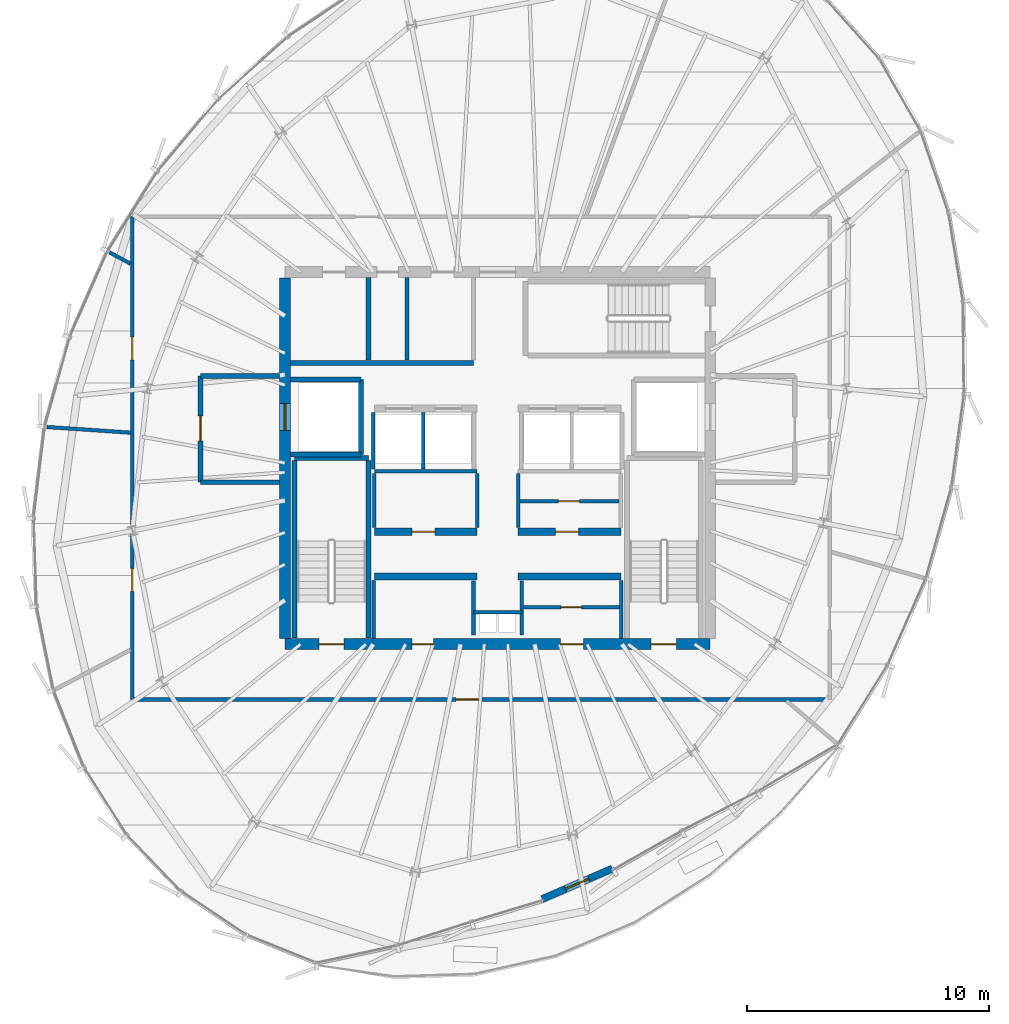
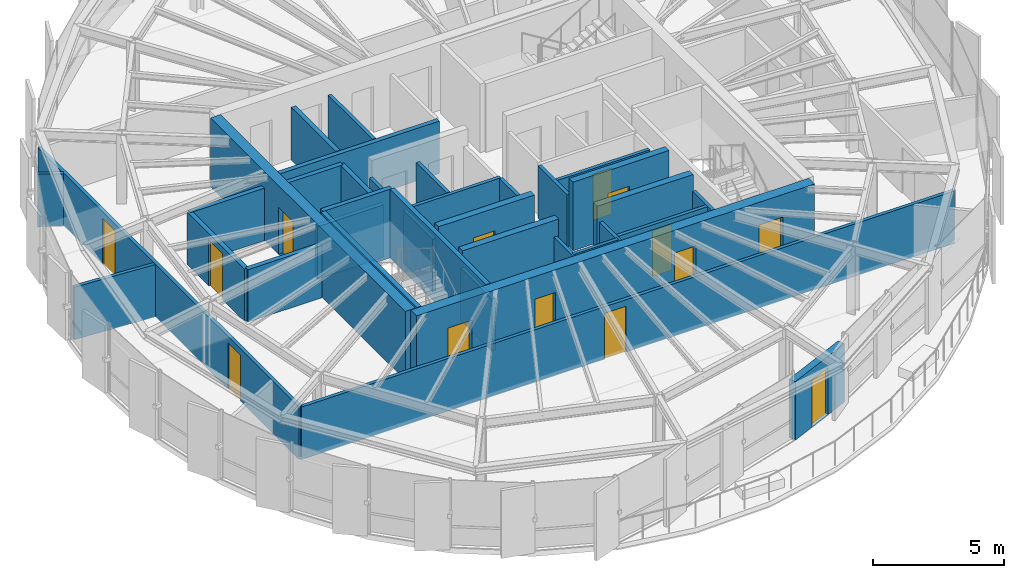
# One storey, part 25 of 31: 36 walls, 14 doors, 14 openings.
"""IFC4 building model written with IfcOpenShell, lengths in metres."""

from ifc_helpers import new_model, si_unit, direction, frame, frame_2d, origin, place, context, subcontext, project, spatial, rectangle, extrude, source, transform, mapped, material, layer, layer_set, type_object, element, fill, save


model = new_model("IFC4")

# Units and contexts
model_context = context("Model", 3, precision=1e-05, world=origin(), true_north=direction((0.0, 1.0)))
body_context = subcontext(model_context, "Body", "Model", "MODEL_VIEW")
ifc_project = project(units=[si_unit("LENGTHUNIT", "METRE"), si_unit("AREAUNIT", "SQUARE_METRE"), si_unit("VOLUMEUNIT", "CUBIC_METRE"), si_unit("PLANEANGLEUNIT", "RADIAN"), si_unit("MASSUNIT", "GRAM", prefix="KILO"), si_unit("THERMODYNAMICTEMPERATUREUNIT", "KELVIN")], contexts=[model_context])

# Site, building, storey
site_placement = place(None, origin())
site = spatial("IfcSite", under=ifc_project, at=site_placement, CompositionType="ELEMENT")
building_placement = place(site_placement, origin())
building = spatial("IfcBuilding", under=site, at=building_placement, Name="Kethvar Cultural Tower", CompositionType="ELEMENT")
storey_placement = place(building_placement, frame((0.0, 0.0, 283.60009765625)))
storey = spatial("IfcBuildingStorey", under=building, at=storey_placement, Name="L75", CompositionType="ELEMENT", Elevation=283.60009765625)

# Wall, openings, doors
ifc_material_1 = material(Name="Concrete C50/60", Category="concrete")
ifc_layer_1 = layer(ifc_material_1, 0.449951171875, Name="Concrete C50/60", Category="concrete")
ifc_layer_set_1 = layer_set([ifc_layer_1], Name="Concrete C50/60 (450 mm)")
wall_type_1 = type_object("IfcWallType", Name="WL-CORE-450", PredefinedType="SHEAR", material=ifc_layer_set_1)
wall_1_placement = place(storey_placement, frame((38.0, 20.10009765625, 0.0), z_axis=(0.0, 0.0, 1.0), x_axis=(1.0, 0.0, 0.0)))
wall_1 = element("IfcWall", 1, at=wall_1_placement, inside=storey, type_object=wall_type_1, Name="L75 Core Shear Wall S", PredefinedType="SHEAR", context=body_context, shape_type="SweptSolid", body=[
    extrude(rectangle(XDim=17.60009765625, YDim=0.449951171875, at=frame_2d((8.800048828125, 0.0))), origin(), (0.0, 0.0, 1.0), 3.2099609375),
])
opening_1_placement = place(wall_1_placement, frame((1.39990234375, 0.0, 0.0)))
opening_1 = element("IfcOpeningElement", 2, at=opening_1_placement, cuts=wall_1, Name="Opening D-L75-S1", PredefinedType="OPENING", context=body_context, shape_type="SweptSolid", body=[
    extrude(rectangle(XDim=1.050048828125, YDim=2.14990234375, at=frame_2d((0.52490234375, 1.074951171875))), frame((0.0, 0.23486328125, 0.0), z_axis=(0.0, -1.0, 0.0), x_axis=(1.0, 0.0, 0.0)), (0.0, 0.0, 1.0), 0.469970703125),
])
opening_2_placement = place(wall_1_placement, frame((15.14990234375, 0.0, 0.0)))
opening_2 = element("IfcOpeningElement", 3, at=opening_2_placement, cuts=wall_1, Name="Opening D-L75-ST2", PredefinedType="OPENING", context=body_context, shape_type="SweptSolid", body=[
    extrude(rectangle(XDim=1.050048828125, YDim=2.14990234375, at=frame_2d((0.52490234375, 1.074951171875))), frame((0.0, 0.23486328125, 0.0), z_axis=(0.0, -1.0, 0.0), x_axis=(1.0, 0.0, 0.0)), (0.0, 0.0, 1.0), 0.469970703125),
])
opening_3_placement = place(wall_1_placement, frame((5.25, 0.0, 0.0)))
opening_3 = element("IfcOpeningElement", 4, at=opening_3_placement, cuts=wall_1, Name="Opening D-L75-V1", PredefinedType="OPENING", context=body_context, shape_type="SweptSolid", body=[
    extrude(rectangle(XDim=0.89990234375, YDim=2.14990234375, at=frame_2d((0.449951171875, 1.074951171875))), frame((0.0, 0.23486328125, 0.0), z_axis=(0.0, -1.0, 0.0), x_axis=(1.0, 0.0, 0.0)), (0.0, 0.0, 1.0), 0.469970703125),
])
opening_4_placement = place(wall_1_placement, frame((11.39990234375, 0.0, 0.0)))
opening_4 = element("IfcOpeningElement", 5, at=opening_4_placement, cuts=wall_1, Name="Opening D-L75-V2", PredefinedType="OPENING", context=body_context, shape_type="SweptSolid", body=[
    extrude(rectangle(XDim=0.949951171875, YDim=2.14990234375, at=frame_2d((0.47509765625, 1.074951171875))), frame((0.0, 0.23486328125, 0.0), z_axis=(0.0, -1.0, 0.0), x_axis=(1.0, 0.0, 0.0)), (0.0, 0.0, 1.0), 0.469970703125),
])
ifc_material_2 = material(Name="Steel S355J2", Category="steel")
door_type_1 = type_object("IfcDoorType", Name="DR-FD60-1050", OperationType="NOTDEFINED", PredefinedType="DOOR", material=ifc_material_2)
shared_shape_1 = source(origin(), body_context, "Body", "SweptSolid", [
    extrude(rectangle(XDim=1.050048828125, YDim=2.14990234375, at=frame_2d((0.52490234375, 1.074951171875))), frame((0.0, 0.02490234375, 0.0), z_axis=(0.0, -1.0, 0.0), x_axis=(1.0, 0.0, 0.0)), (0.0, 0.0, 1.0), 0.050048828125),
])
door_1_placement = place(opening_1_placement, origin())
door_1 = element("IfcDoor", 6, at=door_1_placement, inside=storey, type_object=door_type_1, Name="L75 Exit Stair 1 Door", OperationType="SINGLE_SWING_LEFT", OverallHeight=2.14990234375, OverallWidth=1.050048828125, PredefinedType="DOOR", context=body_context, shape_type="MappedRepresentation", body=[
    mapped(shared_shape_1, transform((0.0, 0.0, 0.0), scale=1.0)),
])
fill(opening_1, door_1)
door_2_placement = place(opening_2_placement, origin())
door_2 = element("IfcDoor", 7, at=door_2_placement, inside=storey, type_object=door_type_1, Name="L75 Exit Stair 2 Door", OperationType="SINGLE_SWING_RIGHT", OverallHeight=2.14990234375, OverallWidth=1.050048828125, PredefinedType="DOOR", context=body_context, shape_type="MappedRepresentation", body=[
    mapped(shared_shape_1, transform((0.0, 0.0, 0.0), scale=1.0)),
])
fill(opening_2, door_2)
ifc_material_3 = material(Name="Architectural Oak Timber", Category="wood")
door_type_2 = type_object("IfcDoorType", Name="DR-FD30-950", OperationType="NOTDEFINED", PredefinedType="DOOR", material=ifc_material_3)
shared_shape_2 = source(origin(), body_context, "Body", "SweptSolid", [
    extrude(rectangle(XDim=0.949951171875, YDim=2.14990234375, at=frame_2d((0.47509765625, 1.074951171875))), frame((0.0, 0.02490234375, 0.0), z_axis=(0.0, -1.0, 0.0), x_axis=(1.0, 0.0, 0.0)), (0.0, 0.0, 1.0), 0.050048828125),
])
door_3_placement = place(opening_4_placement, origin())
door_3 = element("IfcDoor", 8, at=door_3_placement, inside=storey, type_object=door_type_2, Name="L75 Bindery Supply Door", OperationType="SINGLE_SWING_RIGHT", OverallHeight=2.14990234375, OverallWidth=0.949951171875, PredefinedType="DOOR", context=body_context, shape_type="MappedRepresentation", body=[
    mapped(shared_shape_2, transform((0.0, 0.0, 0.0), scale=1.0)),
])
fill(opening_4, door_3)
door_type_3 = type_object("IfcDoorType", Name="DR-FD30-900", OperationType="NOTDEFINED", PredefinedType="DOOR", material=ifc_material_3)
shared_shape_3 = source(origin(), body_context, "Body", "SweptSolid", [
    extrude(rectangle(XDim=0.89990234375, YDim=2.14990234375, at=frame_2d((0.449951171875, 1.074951171875))), frame((0.0, 0.02490234375, 0.0), z_axis=(0.0, -1.0, 0.0), x_axis=(1.0, 0.0, 0.0)), (0.0, 0.0, 1.0), 0.050048828125),
])
door_4_placement = place(opening_3_placement, origin())
door_4 = element("IfcDoor", 9, at=door_4_placement, inside=storey, type_object=door_type_3, Name="L75 Folio Vault Door", OperationType="SINGLE_SWING_LEFT", OverallHeight=2.14990234375, OverallWidth=0.89990234375, PredefinedType="DOOR", context=body_context, shape_type="MappedRepresentation", body=[
    mapped(shared_shape_3, transform((0.0, 0.0, 0.0), scale=1.0)),
])
fill(opening_3, door_4)

# Wall, opening, door
wall_2_placement = place(storey_placement, frame((38.0, 35.260009765625, 0.0), z_axis=(0.0, 0.0, 1.0), x_axis=(0.0, -1.0, 0.0)))
wall_2 = element("IfcWall", 10, at=wall_2_placement, inside=storey, type_object=wall_type_1, Name="L75 Core Shear Wall W", PredefinedType="SHEAR", context=body_context, shape_type="SweptSolid", body=[
    extrude(rectangle(XDim=14.919921875, YDim=0.449951171875, at=frame_2d((7.4599609375, 0.0))), origin(), (0.0, 0.0, 1.0), 3.2099609375),
])
opening_5_placement = place(wall_2_placement, frame((5.2099609375, 0.0, 0.0)))
opening_5 = element("IfcOpeningElement", 11, at=opening_5_placement, cuts=wall_2, Name="Opening LD-1", PredefinedType="OPENING", context=body_context, shape_type="SweptSolid", body=[
    extrude(rectangle(XDim=1.10009765625, YDim=2.199951171875, at=frame_2d((0.550048828125, 1.10009765625))), frame((0.0, 0.23486328125, 0.0), z_axis=(0.0, -1.0, 0.0), x_axis=(1.0, 0.0, 0.0)), (0.0, 0.0, 1.0), 0.469970703125),
])
door_type_4 = type_object("IfcDoorType", Name="DR-LIFT-SLIDE-1100", OperationType="NOTDEFINED", PredefinedType="DOOR", material=ifc_material_2)
shared_shape_4 = source(origin(), body_context, "Body", "SweptSolid", [
    extrude(rectangle(XDim=1.10009765625, YDim=2.199951171875, at=frame_2d((0.550048828125, 1.10009765625))), frame((0.0, 0.02490234375, 0.0), z_axis=(0.0, -1.0, 0.0), x_axis=(1.0, 0.0, 0.0)), (0.0, 0.0, 1.0), 0.050048828125),
])
door_5_placement = place(opening_5_placement, origin())
door_5 = element("IfcDoor", 12, at=door_5_placement, inside=storey, type_object=door_type_4, Name="L75 Firefighting Lift Landing Door FFL-01", OperationType="SLIDING_TO_LEFT", OverallHeight=2.199951171875, OverallWidth=1.10009765625, PredefinedType="DOOR", context=body_context, shape_type="MappedRepresentation", body=[
    mapped(shared_shape_4, transform((0.0, 0.0, 0.0), scale=1.0)),
])
fill(opening_5, door_5)

ifc_material_4 = material(Name="Concrete C40/50", Category="concrete")
ifc_layer_2 = layer(ifc_material_4, 0.300048828125, Name="Concrete C40/50", Category="concrete")
ifc_layer_set_2 = layer_set([ifc_layer_2], Name="Concrete C40/50 (300 mm)")
wall_type_2 = type_object("IfcWallType", Name="WL-EXT-TER-300", PredefinedType="SOLIDWALL", material=ifc_layer_set_2)
wall_3_placement = place(storey_placement, frame((51.54931640625, 10.8076171875, 0.0), z_axis=(0.0, 0.0, 1.0), x_axis=(-0.917146084592, -0.398551200623, 0.0)))
wall_3 = element("IfcWall", 13, at=wall_3_placement, inside=storey, type_object=wall_type_2, Name="L75 Sky Terrace Access Wall", PredefinedType="SOLIDWALL", context=body_context, shape_type="SweptSolid", body=[
    extrude(rectangle(XDim=3.16455078125, YDim=0.300048828125, at=frame_2d((1.582275390625, 0.0))), origin(), (0.0, 0.0, 1.0), 2.73486328125),
])
opening_6_placement = place(wall_3_placement, frame((1.05712890625, 0.0, 0.0)))
opening_6 = element("IfcOpeningElement", 14, at=opening_6_placement, cuts=wall_3, Name="Opening D-L75-T1", PredefinedType="OPENING", context=body_context, shape_type="SweptSolid", body=[
    extrude(rectangle(XDim=1.050048828125, YDim=2.199951171875, at=frame_2d((0.52490234375, 1.10009765625))), frame((0.0, 0.159912109375, 0.0), z_axis=(0.0, -1.0, 0.0), x_axis=(1.0, 0.0, 0.0)), (0.0, 0.0, 1.0), 0.320068359375),
])
ifc_material_5 = material(Name="Aluminium 6063-T6", Category="aluminium")
door_type_5 = type_object("IfcDoorType", Name="DR-EXT-TER-1050", OperationType="NOTDEFINED", PredefinedType="DOOR", material=ifc_material_5)
shared_shape_5 = source(origin(), body_context, "Body", "SweptSolid", [
    extrude(rectangle(XDim=1.050048828125, YDim=2.199951171875, at=frame_2d((0.52490234375, 1.10009765625))), frame((0.0, 0.02490234375, 0.0), z_axis=(0.0, -1.0, 0.0), x_axis=(1.0, 0.0, 0.0)), (0.0, 0.0, 1.0), 0.050048828125),
])
door_6_placement = place(opening_6_placement, origin())
door_6 = element("IfcDoor", 15, at=door_6_placement, inside=storey, type_object=door_type_5, Name="L75 Sky Terrace Access Door D-L75-T1", OperationType="SINGLE_SWING_LEFT", OverallHeight=2.199951171875, OverallWidth=1.050048828125, PredefinedType="DOOR", context=body_context, shape_type="MappedRepresentation", body=[
    mapped(shared_shape_5, transform((0.0, 0.0, 0.0), scale=1.0)),
])
fill(opening_6, door_6)

# Walls
ifc_material_6 = material(Name="Gypsum Fireboard Partition")
ifc_layer_3 = layer(ifc_material_6, 0.14990234375, Name="Gypsum Fireboard Partition")
ifc_layer_set_3 = layer_set([ifc_layer_3], Name="Gypsum Fireboard Partition (150 mm)")
wall_type_3 = type_object("IfcWallType", Name="WL-FIRE-150", PredefinedType="PARTITIONING", material=ifc_layer_set_3)
wall_4_placement = place(storey_placement, frame((45.800048828125, 21.419921875, 0.0), z_axis=(0.0, 0.0, 1.0), x_axis=(1.0, 0.0, 0.0)))
element("IfcWall", 16, at=wall_4_placement, inside=storey, type_object=wall_type_3, Name="L75 Core Riser Wall", PredefinedType="PARTITIONING", context=body_context, shape_type="SweptSolid", body=[
    extrude(rectangle(XDim=2.0, YDim=0.14990234375, at=frame_2d((1.0, 0.0))), origin(), (0.0, 0.0, 1.0), 2.454833984375),
])
for number, where, z_axis, x_axis, name in (
    (17, (45.800048828125, 20.47998046875, 0.0), (0.0, 0.0, 1.0), (0.0, 1.0, 0.0), "L75 Core Riser West Wall"),
    (18, (47.800048828125, 20.47998046875, 0.0), (0.0, 0.0, 1.0), (0.0, 1.0, 0.0), "L75 Core Riser East Wall"),
):
    element("IfcWall", number, at=place(storey_placement, frame(where, z_axis=z_axis, x_axis=x_axis)), inside=storey, type_object=wall_type_3, Name=name, PredefinedType="PARTITIONING", context=body_context, shape_type="SweptSolid", body=[
        extrude(rectangle(XDim=2.239990234375, YDim=0.14990234375, at=frame_2d((1.1201171875, 0.0))), origin(), (0.0, 0.0, 1.0), 2.454833984375),
    ])
for number, where, z_axis, x_axis, name in (
    (19, (41.679931640625, 20.3349609375, 0.0), (0.0, 0.0, 1.0), (0.0, 1.0, 0.0), "L75 Reclaimed West Outer Wall"),
    (20, (51.919921875, 20.3349609375, 0.0), (0.0, 0.0, 1.0), (0.0, 1.0, 0.0), "L75 Reclaimed East Outer Wall"),
):
    element("IfcWall", number, at=place(storey_placement, frame(where, z_axis=z_axis, x_axis=x_axis)), inside=storey, type_object=wall_type_3, Name=name, PredefinedType="PARTITIONING", context=body_context, shape_type="SweptSolid", body=[
        extrude(rectangle(XDim=2.39501953125, YDim=0.14990234375, at=frame_2d((1.197509765625, 0.0))), origin(), (0.0, 0.0, 1.0), 2.454833984375),
    ])

# Wall, opening, door
wall_5_placement = place(storey_placement, frame((47.8798828125, 21.6201171875, 0.0), z_axis=(0.0, 0.0, 1.0), x_axis=(1.0, 0.0, 0.0)))
wall_5 = element("IfcWall", 21, at=wall_5_placement, inside=storey, type_object=wall_type_3, Name="L75 Pantry Gallery Wall E", PredefinedType="PARTITIONING", context=body_context, shape_type="SweptSolid", body=[
    extrude(rectangle(XDim=3.960205078125, YDim=0.14990234375, at=frame_2d((1.97998046875, 0.0))), origin(), (0.0, 0.0, 1.0), 2.454833984375),
])
opening_7_placement = place(wall_5_placement, frame((1.550048828125, 0.0, 0.0)))
opening_7 = element("IfcOpeningElement", 22, at=opening_7_placement, cuts=wall_5, Name="Opening D-L75-V3", PredefinedType="OPENING", context=body_context, shape_type="SweptSolid", body=[
    extrude(rectangle(XDim=0.85009765625, YDim=2.14990234375, at=frame_2d((0.425048828125, 1.074951171875))), frame((0.0, 0.0849609375, 0.0), z_axis=(0.0, -1.0, 0.0), x_axis=(1.0, 0.0, 0.0)), (0.0, 0.0, 1.0), 0.169921875),
])
door_type_6 = type_object("IfcDoorType", Name="DR-FD30-850", OperationType="NOTDEFINED", PredefinedType="DOOR", material=ifc_material_2)
shared_shape_6 = source(origin(), body_context, "Body", "SweptSolid", [
    extrude(rectangle(XDim=0.85009765625, YDim=2.14990234375, at=frame_2d((0.425048828125, 1.074951171875))), frame((0.0, 0.02490234375, 0.0), z_axis=(0.0, -1.0, 0.0), x_axis=(1.0, 0.0, 0.0)), (0.0, 0.0, 1.0), 0.050048828125),
])
door_7_placement = place(opening_7_placement, origin())
door_7 = element("IfcDoor", 23, at=door_7_placement, inside=storey, type_object=door_type_6, Name="L75 Inner Pantry Gallery Door", OperationType="SINGLE_SWING_RIGHT", OverallHeight=2.14990234375, OverallWidth=0.85009765625, PredefinedType="DOOR", context=body_context, shape_type="MappedRepresentation", body=[
    mapped(shared_shape_6, transform((0.0, 0.0, 0.0), scale=1.0)),
])
fill(opening_7, door_7)

# Walls
wall_6_placement = place(storey_placement, frame((41.699951171875, 27.25, 0.0), z_axis=(0.0, 0.0, 1.0), x_axis=(1.0, 0.0, 0.0)))
element("IfcWall", 24, at=wall_6_placement, inside=storey, type_object=wall_type_3, Name="L75 Reclaimed Mid Wall W", PredefinedType="PARTITIONING", context=body_context, shape_type="SweptSolid", body=[
    extrude(rectangle(XDim=4.25, YDim=0.14990234375, at=frame_2d((2.125, 0.0))), origin(), (0.0, 0.0, 1.0), 2.454833984375),
])
for number, where, z_axis, x_axis, name in (
    (25, (41.699951171875, 24.919921875, 0.0), (0.0, 0.0, 1.0), (0.0, 1.0, 0.0), "L75 Reclaimed Mid Outer W"),
    (26, (45.949951171875, 24.919921875, 0.0), (0.0, 0.0, 1.0), (0.0, 1.0, 0.0), "L75 Reclaimed Mid Spine W"),
    (27, (47.64990234375, 24.919921875, 0.0), (0.0, 0.0, 1.0), (0.0, 1.0, 0.0), "L75 Reclaimed Mid Spine E"),
):
    element("IfcWall", number, at=place(storey_placement, frame(where, z_axis=z_axis, x_axis=x_axis)), inside=storey, type_object=wall_type_3, Name=name, PredefinedType="PARTITIONING", context=body_context, shape_type="SweptSolid", body=[
        extrude(rectangle(XDim=2.239990234375, YDim=0.14990234375, at=frame_2d((1.1201171875, 0.0))), origin(), (0.0, 0.0, 1.0), 2.454833984375),
    ])

# Wall, opening, door
wall_7_placement = place(storey_placement, frame((47.72998046875, 26.010009765625, 0.0), z_axis=(0.0, 0.0, 1.0), x_axis=(1.0, 0.0, 0.0)))
wall_7 = element("IfcWall", 28, at=wall_7_placement, inside=storey, type_object=wall_type_3, Name="L75 Mid Gallery Wall E", PredefinedType="PARTITIONING", context=body_context, shape_type="SweptSolid", body=[
    extrude(rectangle(XDim=4.090087890625, YDim=0.14990234375, at=frame_2d((2.044921875, 0.0))), origin(), (0.0, 0.0, 1.0), 2.454833984375),
])
opening_8_placement = place(wall_7_placement, frame((1.60009765625, 0.0, 0.0)))
opening_8 = element("IfcOpeningElement", 29, at=opening_8_placement, cuts=wall_7, Name="Opening D-L75-M3", PredefinedType="OPENING", context=body_context, shape_type="SweptSolid", body=[
    extrude(rectangle(XDim=0.85009765625, YDim=2.14990234375, at=frame_2d((0.425048828125, 1.074951171875))), frame((0.0, 0.0849609375, 0.0), z_axis=(0.0, -1.0, 0.0), x_axis=(1.0, 0.0, 0.0)), (0.0, 0.0, 1.0), 0.169921875),
])
door_8_placement = place(opening_8_placement, origin())
door_8 = element("IfcDoor", 30, at=door_8_placement, inside=storey, type_object=door_type_6, Name="L75 UPS Inner Door", OperationType="SINGLE_SWING_RIGHT", OverallHeight=2.14990234375, OverallWidth=0.85009765625, PredefinedType="DOOR", context=body_context, shape_type="MappedRepresentation", body=[
    mapped(shared_shape_6, transform((0.0, 0.0, 0.0), scale=1.0)),
])
fill(opening_8, door_8)

# Walls
for number, where, z_axis, x_axis, name in (
    (31, (41.64990234375, 27.340087890625, 0.0), (0.0, 0.0, 1.0), (0.0, 1.0, 0.0), "L75 High-Rise Lift Shaft Outer Wall W"),
    (32, (43.72509765625, 27.340087890625, 0.0), (0.0, 0.0, 1.0), (0.0, 1.0, 0.0), "L75 High-Rise Lift Shaft Divider W"),
):
    element("IfcWall", number, at=place(storey_placement, frame(where, z_axis=z_axis, x_axis=x_axis)), inside=storey, type_object=wall_type_3, Name=name, PredefinedType="PARTITIONING", context=body_context, shape_type="SweptSolid", body=[
        extrude(rectangle(XDim=2.33984375, YDim=0.14990234375, at=frame_2d((1.169921875, 0.0))), origin(), (0.0, 0.0, 1.0), 2.454833984375),
    ])

# Wall, opening, door
wall_8_placement = place(storey_placement, frame((31.679931640625, 17.806884765625, 0.0), z_axis=(0.0, 0.0, 1.0), x_axis=(1.0, 0.0, 0.0)))
wall_8 = element("IfcWall", 33, at=wall_8_placement, inside=storey, type_object=wall_type_3, Name="L75 Corridor Rated Wall S", PredefinedType="PARTITIONING", context=body_context, shape_type="SweptSolid", body=[
    extrude(rectangle(XDim=28.8701171875, YDim=0.14990234375, at=frame_2d((14.43505859375, 0.0))), origin(), (0.0, 0.0, 1.0), 2.454833984375),
])
opening_9_placement = place(wall_8_placement, frame((13.39892578125, 0.0, 0.0)))
opening_9 = element("IfcOpeningElement", 34, at=opening_9_placement, cuts=wall_8, Name="Opening D-L75-01", PredefinedType="OPENING", context=body_context, shape_type="SweptSolid", body=[
    extrude(rectangle(XDim=0.949951171875, YDim=2.14990234375, at=frame_2d((0.47509765625, 1.074951171875))), frame((0.0, 0.0849609375, 0.0), z_axis=(0.0, -1.0, 0.0), x_axis=(1.0, 0.0, 0.0)), (0.0, 0.0, 1.0), 0.169921875),
])
door_9_placement = place(opening_9_placement, origin())
door_9 = element("IfcDoor", 35, at=door_9_placement, inside=storey, type_object=door_type_2, Name="L75 Panoramic Reading Lounge 01 Door", OperationType="SINGLE_SWING_RIGHT", OverallHeight=2.14990234375, OverallWidth=0.949951171875, PredefinedType="DOOR", context=body_context, shape_type="MappedRepresentation", body=[
    mapped(shared_shape_2, transform((0.0, 0.0, 0.0), scale=1.0)),
])
fill(opening_9, door_9)

# Wall, openings, doors
wall_9_placement = place(storey_placement, frame((31.679931640625, 37.79296875, 0.0), z_axis=(0.0, 0.0, 1.0), x_axis=(0.0, -1.0, 0.0)))
wall_9 = element("IfcWall", 36, at=wall_9_placement, inside=storey, type_object=wall_type_3, Name="L75 Corridor Rated Wall W", PredefinedType="PARTITIONING", context=body_context, shape_type="SweptSolid", body=[
    extrude(rectangle(XDim=19.986083984375, YDim=0.14990234375, at=frame_2d((9.9931640625, 0.0))), origin(), (0.0, 0.0, 1.0), 2.454833984375),
])
opening_10_placement = place(wall_9_placement, frame((4.973388671875, 0.0, 0.0)))
opening_10 = element("IfcOpeningElement", 37, at=opening_10_placement, cuts=wall_9, Name="Opening D-L75-06", PredefinedType="OPENING", context=body_context, shape_type="SweptSolid", body=[
    extrude(rectangle(XDim=0.949951171875, YDim=2.14990234375, at=frame_2d((0.47509765625, 1.074951171875))), frame((0.0, 0.0849609375, 0.0), z_axis=(0.0, -1.0, 0.0), x_axis=(1.0, 0.0, 0.0)), (0.0, 0.0, 1.0), 0.169921875),
])
opening_11_placement = place(wall_9_placement, frame((14.560791015625, 0.0, 0.0)))
opening_11 = element("IfcOpeningElement", 38, at=opening_11_placement, cuts=wall_9, Name="Opening D-L75-07", PredefinedType="OPENING", context=body_context, shape_type="SweptSolid", body=[
    extrude(rectangle(XDim=0.949951171875, YDim=2.14990234375, at=frame_2d((0.47509765625, 1.074951171875))), frame((0.0, 0.0849609375, 0.0), z_axis=(0.0, -1.0, 0.0), x_axis=(1.0, 0.0, 0.0)), (0.0, 0.0, 1.0), 0.169921875),
])
door_10_placement = place(opening_10_placement, origin())
door_10 = element("IfcDoor", 39, at=door_10_placement, inside=storey, type_object=door_type_2, Name="L75 Scholars' Servery Pantry 06 Door", OperationType="SINGLE_SWING_LEFT", OverallHeight=2.14990234375, OverallWidth=0.949951171875, PredefinedType="DOOR", context=body_context, shape_type="MappedRepresentation", body=[
    mapped(shared_shape_2, transform((0.0, 0.0, 0.0), scale=1.0)),
])
fill(opening_10, door_10)
door_11_placement = place(opening_11_placement, origin())
door_11 = element("IfcDoor", 40, at=door_11_placement, inside=storey, type_object=door_type_2, Name="L75 Cultural Periodicals Kiosk 07 Door", OperationType="SINGLE_SWING_RIGHT", OverallHeight=2.14990234375, OverallWidth=0.949951171875, PredefinedType="DOOR", context=body_context, shape_type="MappedRepresentation", body=[
    mapped(shared_shape_2, transform((0.0, 0.0, 0.0), scale=1.0)),
])
fill(opening_11, door_11)

# Walls
ifc_layer_4 = layer(ifc_material_4, 0.199951171875, Name="Concrete C40/50", Category="concrete")
ifc_layer_set_4 = layer_set([ifc_layer_4], Name="Concrete C40/50 (200 mm)")
wall_type_4 = type_object("IfcWallType", Name="WL-FIRE-200", PredefinedType="PARTITIONING", material=ifc_layer_set_4)
wall_10_placement = place(storey_placement, frame((41.14990234375, 27.949951171875, 0.0), z_axis=(0.0, 0.0, 1.0), x_axis=(0.0, 1.0, 0.0)))
element("IfcWall", 41, at=wall_10_placement, inside=storey, type_object=wall_type_4, Name="L75 FFL-01 Shaft Inner Wall", PredefinedType="PARTITIONING", context=body_context, shape_type="SweptSolid", body=[
    extrude(rectangle(XDim=3.10009765625, YDim=0.199951171875, at=frame_2d((1.550048828125, 0.0))), origin(), (0.0, 0.0, 1.0), 2.454833984375),
])
for number, where, z_axis, x_axis, name in (
    (42, (38.235107421875, 27.949951171875, 0.0), (0.0, 0.0, 1.0), (1.0, 0.0, 0.0), "L75 FFL-01 Shaft South Wall"),
    (43, (38.235107421875, 31.050048828125, 0.0), (0.0, 0.0, 1.0), (1.0, 0.0, 0.0), "L75 FFL-01 Shaft North Wall"),
):
    element("IfcWall", number, at=place(storey_placement, frame(where, z_axis=z_axis, x_axis=x_axis)), inside=storey, type_object=wall_type_4, Name=name, PredefinedType="PARTITIONING", context=body_context, shape_type="SweptSolid", body=[
        extrude(rectangle(XDim=2.914794921875, YDim=0.199951171875, at=frame_2d((1.45751953125, 0.0))), origin(), (0.0, 0.0, 1.0), 2.454833984375),
    ])

# Wall, opening, door
wall_11_placement = place(storey_placement, frame((34.5, 31.199951171875, 0.0), z_axis=(0.0, 0.0, 1.0), x_axis=(0.0, -1.0, 0.0)))
wall_11 = element("IfcWall", 44, at=wall_11_placement, inside=storey, type_object=wall_type_4, Name="L75 Firefighting Lobby 1 Wall", PredefinedType="PARTITIONING", context=body_context, shape_type="SweptSolid", body=[
    extrude(rectangle(XDim=4.39990234375, YDim=0.199951171875, at=frame_2d((2.199951171875, 0.0))), origin(), (0.0, 0.0, 1.0), 2.454833984375),
])
opening_12_placement = place(wall_11_placement, frame((1.64990234375, 0.0, 0.0)))
opening_12 = element("IfcOpeningElement", 45, at=opening_12_placement, cuts=wall_11, Name="Opening D-L75-F1", PredefinedType="OPENING", context=body_context, shape_type="SweptSolid", body=[
    extrude(rectangle(XDim=1.050048828125, YDim=2.14990234375, at=frame_2d((0.52490234375, 1.074951171875))), frame((0.0, 0.10986328125, 0.0), z_axis=(0.0, -1.0, 0.0), x_axis=(1.0, 0.0, 0.0)), (0.0, 0.0, 1.0), 0.219970703125),
])
door_12_placement = place(opening_12_placement, origin())
door_12 = element("IfcDoor", 46, at=door_12_placement, inside=storey, type_object=door_type_1, Name="L75 Firefighting Lobby 1 Fire Door", OperationType="SINGLE_SWING_LEFT", OverallHeight=2.14990234375, OverallWidth=1.050048828125, PredefinedType="DOOR", context=body_context, shape_type="MappedRepresentation", body=[
    mapped(shared_shape_1, transform((0.0, 0.0, 0.0), scale=1.0)),
])
fill(opening_12, door_12)

# Walls
for number, where, z_axis, x_axis, name in (
    (47, (34.5, 26.800048828125, 0.0), (0.0, 0.0, 1.0), (1.0, 0.0, 0.0), "L75 FF Lobby 1 South Wall"),
    (48, (34.5, 31.199951171875, 0.0), (0.0, 0.0, 1.0), (1.0, 0.0, 0.0), "L75 FF Lobby 1 North Wall"),
):
    element("IfcWall", number, at=place(storey_placement, frame(where, z_axis=z_axis, x_axis=x_axis)), inside=storey, type_object=wall_type_4, Name=name, PredefinedType="PARTITIONING", context=body_context, shape_type="SweptSolid", body=[
        extrude(rectangle(XDim=3.264892578125, YDim=0.199951171875, at=frame_2d((1.63232421875, 0.0))), origin(), (0.0, 0.0, 1.0), 2.454833984375),
    ])
wall_12_placement = place(storey_placement, frame((41.449951171875, 31.85009765625, 0.0), z_axis=(0.0, 0.0, 1.0), x_axis=(0.0, 1.0, 0.0)))
element("IfcWall", 49, at=wall_12_placement, inside=storey, type_object=wall_type_4, Name="L75 NW Core Pocket Wall", PredefinedType="PARTITIONING", context=body_context, shape_type="SweptSolid", body=[
    extrude(rectangle(XDim=3.414794921875, YDim=0.199951171875, at=frame_2d((1.70751953125, 0.0))), origin(), (0.0, 0.0, 1.0), 2.454833984375),
])
wall_13_placement = place(storey_placement, frame((38.235107421875, 31.72998046875, 0.0), z_axis=(0.0, 0.0, 1.0), x_axis=(1.0, 0.0, 0.0)))
element("IfcWall", 50, at=wall_13_placement, inside=storey, type_object=wall_type_4, Name="L75 North Core Sanitary South Wall", PredefinedType="PARTITIONING", context=body_context, shape_type="SweptSolid", body=[
    extrude(rectangle(XDim=7.56494140625, YDim=0.199951171875, at=frame_2d((3.782470703125, 0.0))), origin(), (0.0, 0.0, 1.0), 2.454833984375),
])
ifc_material_7 = material(Name="Gypsum Acoustic Partition")
ifc_layer_5 = layer(ifc_material_7, 0.14990234375, Name="Gypsum Acoustic Partition")
ifc_layer_set_5 = layer_set([ifc_layer_5], Name="Gypsum Acoustic Partition (150 mm)")
wall_type_5 = type_object("IfcWallType", Name="WL-PART-150", PredefinedType="PARTITIONING", material=ifc_layer_set_5)
wall_14_placement = place(storey_placement, frame((31.609619140625, 35.843505859375, 0.0), z_axis=(0.0, 0.0, 1.0), x_axis=(-0.880920446262, 0.47326437364, 0.0)))
element("IfcWall", 51, at=wall_14_placement, inside=storey, type_object=wall_type_5, Name="L75 Radial Partition Wall 06", PredefinedType="PARTITIONING", context=body_context, shape_type="SweptSolid", body=[
    extrude(rectangle(XDim=0.99365234375, YDim=0.14990234375, at=frame_2d((0.496826171875, 0.0))), origin(), (0.0, 0.0, 1.0), 2.454833984375),
])
wall_15_placement = place(storey_placement, frame((31.60009765625, 28.85205078125, 0.0), z_axis=(0.0, 0.0, 1.0), x_axis=(-0.997711556598, 0.067613976594, 0.0)))
element("IfcWall", 52, at=wall_15_placement, inside=storey, type_object=wall_type_5, Name="L75 Radial Partition Wall 07", PredefinedType="PARTITIONING", context=body_context, shape_type="SweptSolid", body=[
    extrude(rectangle(XDim=3.462646484375, YDim=0.14990234375, at=frame_2d((1.7314453125, 0.0))), origin(), (0.0, 0.0, 1.0), 2.454833984375),
])
ifc_material_8 = material(Name="Moisture-Resistant Sanitary Chase Wall")
ifc_layer_6 = layer(ifc_material_8, 0.14990234375, Name="Moisture-Resistant Sanitary Chase Wall")
ifc_layer_set_6 = layer_set([ifc_layer_6], Name="Moisture-Resistant Sanitary Chase Wall (150 mm)")
wall_type_6 = type_object("IfcWallType", Name="WL-PLUMB-150", PredefinedType="PLUMBINGWALL", material=ifc_layer_set_6)
wall_16_placement = place(storey_placement, frame((43.050048828125, 31.85009765625, 0.0), z_axis=(0.0, 0.0, 1.0), x_axis=(0.0, 1.0, 0.0)))
element("IfcWall", 53, at=wall_16_placement, inside=storey, type_object=wall_type_6, Name="L75 Sanitary Plumbing Wall", PredefinedType="PLUMBINGWALL", context=body_context, shape_type="SweptSolid", body=[
    extrude(rectangle(XDim=3.414794921875, YDim=0.14990234375, at=frame_2d((1.70751953125, 0.0))), origin(), (0.0, 0.0, 1.0), 2.454833984375),
])
ifc_layer_7 = layer(ifc_material_1, 0.300048828125, Name="Concrete C50/60", Category="concrete")
ifc_layer_set_7 = layer_set([ifc_layer_7], Name="Concrete C50/60 (300 mm)")
wall_type_7 = type_object("IfcWallType", Name="WL-SHAFT-300", PredefinedType="SHEAR", material=ifc_layer_set_7)
for number, where, z_axis, x_axis, name in (
    (54, (41.699951171875, 22.89990234375, 0.0), (0.0, 0.0, 1.0), (1.0, 0.0, 0.0), "L75 Core Lift Spine Wall MID1W"),
    (55, (47.64990234375, 22.89990234375, 0.0), (0.0, 0.0, 1.0), (1.0, 0.0, 0.0), "L75 Core Lift Spine Wall MID1E"),
):
    element("IfcWall", number, at=place(storey_placement, frame(where, z_axis=z_axis, x_axis=x_axis)), inside=storey, type_object=wall_type_7, Name=name, PredefinedType="SHEAR", context=body_context, shape_type="SweptSolid", body=[
        extrude(rectangle(XDim=4.25, YDim=0.300048828125, at=frame_2d((2.125, 0.0))), origin(), (0.0, 0.0, 1.0), 3.2099609375),
    ])

# Wall, opening, door
wall_17_placement = place(storey_placement, frame((41.699951171875, 24.75, 0.0), z_axis=(0.0, 0.0, 1.0), x_axis=(1.0, 0.0, 0.0)))
wall_17 = element("IfcWall", 56, at=wall_17_placement, inside=storey, type_object=wall_type_7, Name="L75 Core Lift Spine Wall MID2W", PredefinedType="SHEAR", context=body_context, shape_type="SweptSolid", body=[
    extrude(rectangle(XDim=4.25, YDim=0.300048828125, at=frame_2d((2.125, 0.0))), origin(), (0.0, 0.0, 1.0), 3.2099609375),
])
opening_13_placement = place(wall_17_placement, frame((1.550048828125, 0.0, 0.0)))
opening_13 = element("IfcOpeningElement", 57, at=opening_13_placement, cuts=wall_17, Name="Opening D-L75-M1", PredefinedType="OPENING", context=body_context, shape_type="SweptSolid", body=[
    extrude(rectangle(XDim=0.949951171875, YDim=2.14990234375, at=frame_2d((0.47509765625, 1.074951171875))), frame((0.0, 0.159912109375, 0.0), z_axis=(0.0, -1.0, 0.0), x_axis=(1.0, 0.0, 0.0)), (0.0, 0.0, 1.0), 0.320068359375),
])
door_13_placement = place(opening_13_placement, origin())
door_13 = element("IfcDoor", 58, at=door_13_placement, inside=storey, type_object=door_type_2, Name="L75 Broadcast Rack Door", OperationType="SINGLE_SWING_LEFT", OverallHeight=2.14990234375, OverallWidth=0.949951171875, PredefinedType="DOOR", context=body_context, shape_type="MappedRepresentation", body=[
    mapped(shared_shape_2, transform((0.0, 0.0, 0.0), scale=1.0)),
])
fill(opening_13, door_13)

wall_18_placement = place(storey_placement, frame((47.64990234375, 24.75, 0.0), z_axis=(0.0, 0.0, 1.0), x_axis=(1.0, 0.0, 0.0)))
wall_18 = element("IfcWall", 59, at=wall_18_placement, inside=storey, type_object=wall_type_7, Name="L75 Core Lift Spine Wall MID2E", PredefinedType="SHEAR", context=body_context, shape_type="SweptSolid", body=[
    extrude(rectangle(XDim=4.25, YDim=0.300048828125, at=frame_2d((2.125, 0.0))), origin(), (0.0, 0.0, 1.0), 3.2099609375),
])
opening_14_placement = place(wall_18_placement, frame((1.550048828125, 0.0, 0.0)))
opening_14 = element("IfcOpeningElement", 60, at=opening_14_placement, cuts=wall_18, Name="Opening D-L75-M2", PredefinedType="OPENING", context=body_context, shape_type="SweptSolid", body=[
    extrude(rectangle(XDim=0.949951171875, YDim=2.14990234375, at=frame_2d((0.47509765625, 1.074951171875))), frame((0.0, 0.159912109375, 0.0), z_axis=(0.0, -1.0, 0.0), x_axis=(1.0, 0.0, 0.0)), (0.0, 0.0, 1.0), 0.320068359375),
])
door_14_placement = place(opening_14_placement, origin())
door_14 = element("IfcDoor", 61, at=door_14_placement, inside=storey, type_object=door_type_2, Name="L75 UPS Closet Door", OperationType="SINGLE_SWING_RIGHT", OverallHeight=2.14990234375, OverallWidth=0.949951171875, PredefinedType="DOOR", context=body_context, shape_type="MappedRepresentation", body=[
    mapped(shared_shape_2, transform((0.0, 0.0, 0.0), scale=1.0)),
])
fill(opening_14, door_14)

# Walls
ifc_layer_8 = layer(ifc_material_1, 0.199951171875, Name="Concrete C50/60", Category="concrete")
ifc_layer_set_8 = layer_set([ifc_layer_8], Name="Concrete C50/60 (200 mm)")
wall_type_8 = type_object("IfcWallType", Name="WL-STSHAFT-200", PredefinedType="SHEAR", material=ifc_layer_set_8)
wall_19_placement = place(storey_placement, frame((38.389892578125, 27.800048828125, 0.0), z_axis=(0.0, 0.0, 1.0), x_axis=(1.0, 0.0, 0.0)))
element("IfcWall", 62, at=wall_19_placement, inside=storey, type_object=wall_type_8, Name="L75 ST-01 Stair Shaft Wall FAR", PredefinedType="SHEAR", context=body_context, shape_type="SweptSolid", body=[
    extrude(rectangle(XDim=3.06005859375, YDim=0.199951171875, at=frame_2d((1.530029296875, 0.0))), origin(), (0.0, 0.0, 1.0), 3.2099609375),
])
for number, where, z_axis, x_axis, name in (
    (63, (41.449951171875, 27.699951171875, 0.0), (0.0, 0.0, 1.0), (0.0, -1.0, 0.0), "L75 ST-01 Stair Shaft Wall LEFT"),
    (64, (38.389892578125, 20.35009765625, 0.0), (0.0, 0.0, 1.0), (0.0, 1.0, 0.0), "L75 ST-01 Stair Shaft Wall RIGHT"),
):
    element("IfcWall", number, at=place(storey_placement, frame(where, z_axis=z_axis, x_axis=x_axis)), inside=storey, type_object=wall_type_8, Name=name, PredefinedType="SHEAR", context=body_context, shape_type="SweptSolid", body=[
        extrude(rectangle(XDim=7.349853515625, YDim=0.199951171875, at=frame_2d((3.6748046875, 0.0))), origin(), (0.0, 0.0, 1.0), 3.2099609375),
    ])

save(model, "model.ifc")
